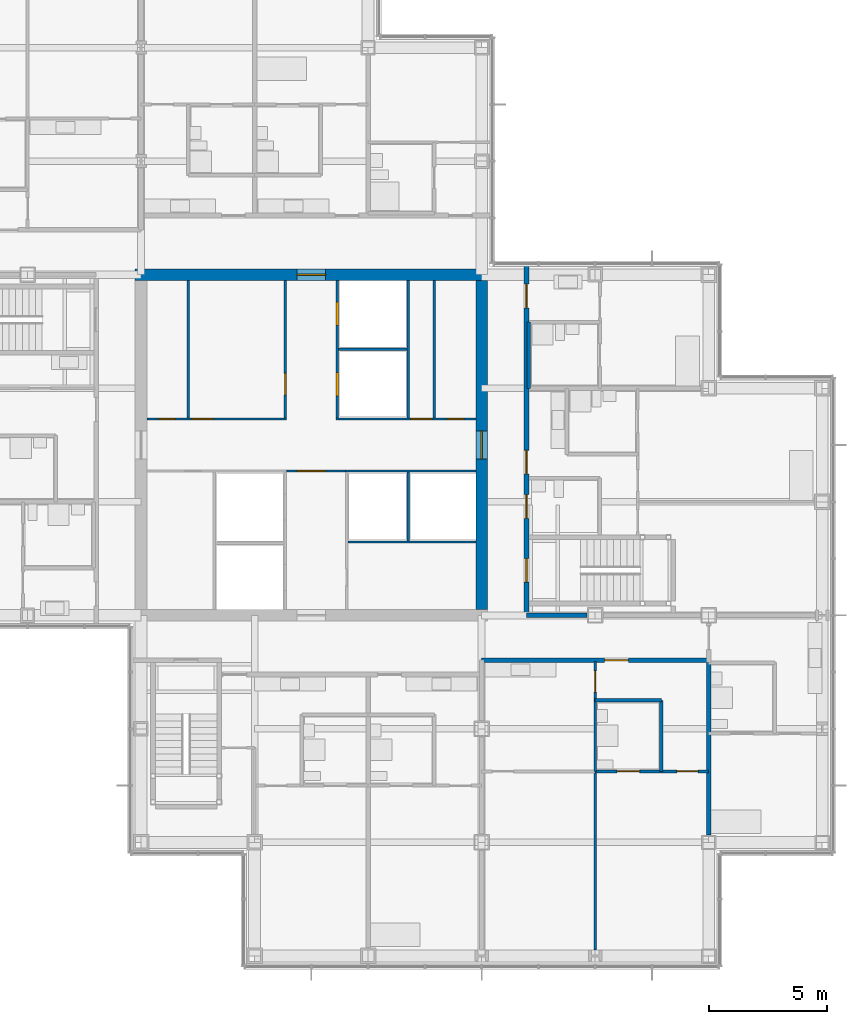
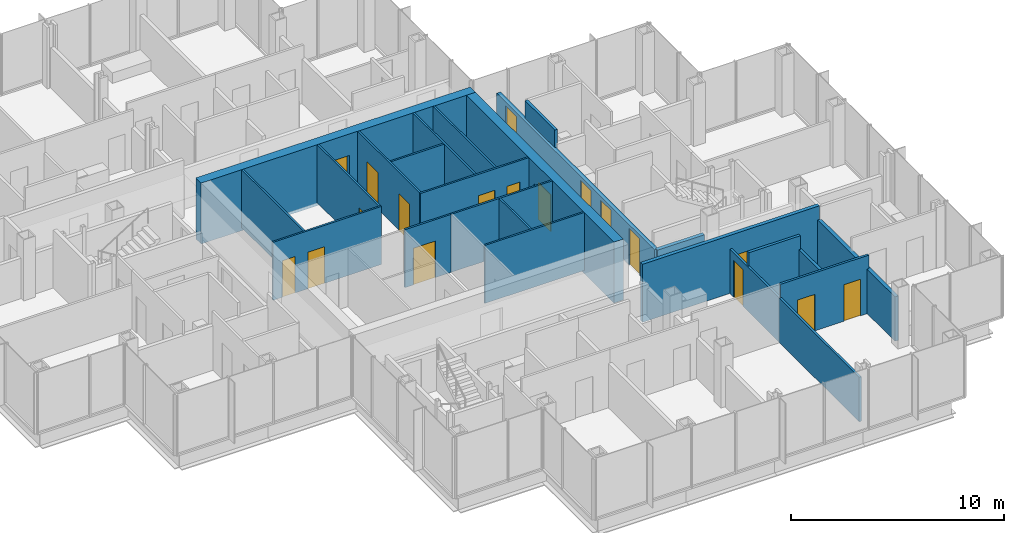
# One storey, part 15 of 20: 24 walls, 18 doors, 18 openings.
"""IFC4 building model written with IfcOpenShell, lengths in metres."""

from ifc_helpers import new_model, si_unit, direction, frame, frame_2d, origin, place, context, subcontext, project, spatial, rectangle, extrude, material, layer, layer_set, type_object, element, fill, save


model = new_model("IFC4")

# Units and contexts
model_context = context("Model", 3, precision=1e-05, world=origin(), true_north=direction((0.0, 1.0)))
body_context = subcontext(model_context, "Body", "Model", "MODEL_VIEW")
ifc_project = project(units=[si_unit("LENGTHUNIT", "METRE"), si_unit("AREAUNIT", "SQUARE_METRE"), si_unit("VOLUMEUNIT", "CUBIC_METRE"), si_unit("PLANEANGLEUNIT", "RADIAN"), si_unit("MASSUNIT", "GRAM", prefix="KILO")], contexts=[model_context])

# Site, building, storey
site_placement = place(None, origin())
site = spatial("IfcSite", under=ifc_project, at=site_placement, CompositionType="ELEMENT")
building_placement = place(site_placement, origin())
building = spatial("IfcBuilding", under=site, at=building_placement, Name="Kvirike Care Tower", CompositionType="ELEMENT")
storey_placement = place(building_placement, frame((0.0, 0.0, 101.5)))
storey = spatial("IfcBuildingStorey", under=building, at=storey_placement, Name="L27", CompositionType="ELEMENT", Elevation=101.5)

# Walls
ifc_material_1 = material(Name="Moisture-resistant board partition", Category="gypsum")
ifc_layer_1 = layer(ifc_material_1, 0.14990234375)
ifc_layer_set_1 = layer_set([ifc_layer_1], Name="BATHROOM WALL 150")
wall_type_1 = type_object("IfcWallType", Name="BATHROOM WALL 150", PredefinedType="PARTITIONING", material=ifc_layer_set_1)
wall_1_placement = place(storey_placement, frame((36.39990234375, 22.199951171875, 0.0), z_axis=(0.0, 0.0, 1.0), x_axis=(0.0, 1.0, 0.0)))
element("IfcWall", 1, at=wall_1_placement, inside=storey, type_object=wall_type_1, Name="Bathroom Wall 150 L27", PredefinedType="PARTITIONING", context=body_context, shape_type="SweptSolid", body=[
    extrude(rectangle(XDim=3.0, YDim=0.14990234375, at=frame_2d((1.5, 0.0))), origin(), (0.0, 0.0, 1.0), 2.550048828125),
])
wall_2_placement = place(storey_placement, frame((33.60009765625, 25.199951171875, 0.0), z_axis=(0.0, 0.0, 1.0), x_axis=(1.0, 0.0, 0.0)))
element("IfcWall", 2, at=wall_2_placement, inside=storey, type_object=wall_type_1, Name="Bathroom Wall 150 L27", PredefinedType="PARTITIONING", context=body_context, shape_type="SweptSolid", body=[
    extrude(rectangle(XDim=2.7998046875, YDim=0.14990234375, at=frame_2d((1.39990234375, 0.0))), origin(), (0.0, 0.0, 1.0), 3.330078125),
])
wall_3_placement = place(storey_placement, frame((30.800048828125, 38.39990234375, 0.0), z_axis=(0.0, 0.0, 1.0), x_axis=(0.0, 1.0, 0.0)))
element("IfcWall", 3, at=wall_3_placement, inside=storey, type_object=wall_type_1, Name="Bathroom Wall 150 L27", PredefinedType="PARTITIONING", context=body_context, shape_type="SweptSolid", body=[
    extrude(rectangle(XDim=2.800048828125, YDim=0.14990234375, at=frame_2d((1.39990234375, 0.0))), origin(), (0.0, 0.0, 1.0), 3.330078125),
])

# Wall, opening, door
ifc_material_2 = material(Name="Concrete C50/60", Category="concrete")
ifc_layer_2 = layer(ifc_material_2, 0.5)
ifc_layer_set_2 = layer_set([ifc_layer_2], Name="CORE WALL 500 C50-60")
wall_type_2 = type_object("IfcWallType", Name="CORE WALL 500 C50-60", PredefinedType="SHEAR", material=ifc_layer_set_2)
wall_4_placement = place(storey_placement, frame((29.050048828125, 43.199951171875, -0.169921875), z_axis=(0.0, 0.0, 1.0), x_axis=(-1.0, 0.0, 0.0)))
wall_4 = element("IfcWall", 4, at=wall_4_placement, inside=storey, type_object=wall_type_2, Name="Core wall N L27", PredefinedType="SHEAR", context=body_context, shape_type="SweptSolid", body=[
    extrude(rectangle(XDim=14.900146484375, YDim=0.5, at=frame_2d((7.4501953125, 0.0))), origin(), (0.0, 0.0, 1.0), 3.5),
])
opening_1_placement = place(wall_4_placement, frame((6.85009765625, 0.0, 0.169921875)))
opening_1 = element("IfcOpeningElement", 5, at=opening_1_placement, cuts=wall_4, Name="Opening 27-067", PredefinedType="OPENING", context=body_context, shape_type="SweptSolid", body=[
    extrude(rectangle(XDim=1.199951171875, YDim=2.10009765625, at=frame_2d((0.60009765625, 1.050048828125))), frame((0.0, 0.260498046875, 0.0), z_axis=(0.0, -1.0, 0.0), x_axis=(1.0, 0.0, 0.0)), (0.0, 0.0, 1.0), 0.52099609375),
])
ifc_material_3 = material(Name="Timber door set", Category="wood")
door_type_1 = type_object("IfcDoorType", Name="CORE DOOR 1200", OperationType="SINGLE_SWING_LEFT", PredefinedType="DOOR", material=ifc_material_3)
door_1_placement = place(opening_1_placement, origin())
door_1 = element("IfcDoor", 6, at=door_1_placement, inside=storey, type_object=door_type_1, Name="Core door N L27", OperationType="SINGLE_SWING_LEFT", OverallHeight=2.10009765625, OverallWidth=1.199951171875, PredefinedType="DOOR", context=body_context, shape_type="SweptSolid", body=[
    extrude(rectangle(XDim=1.199951171875, YDim=2.10009765625, at=frame_2d((0.60009765625, 1.050048828125))), frame((0.0, 0.02685546875, 0.0), z_axis=(0.0, -1.0, 0.0), x_axis=(1.0, 0.0, 0.0)), (0.0, 0.0, 1.0), 0.053955078125),
])
fill(opening_1, door_1)

wall_5_placement = place(storey_placement, frame((28.800048828125, 29.050048828125, -0.169921875), z_axis=(0.0, 0.0, 1.0), x_axis=(0.0, 1.0, 0.0)))
wall_5 = element("IfcWall", 7, at=wall_5_placement, inside=storey, type_object=wall_type_2, Name="Core wall E L27", PredefinedType="SHEAR", context=body_context, shape_type="SweptSolid", body=[
    extrude(rectangle(XDim=13.89990234375, YDim=0.5, at=frame_2d((6.949951171875, 0.0))), origin(), (0.0, 0.0, 1.0), 3.5),
])
opening_2_placement = place(wall_5_placement, frame((6.35009765625, 0.0, 0.169921875)))
opening_2 = element("IfcOpeningElement", 8, at=opening_2_placement, cuts=wall_5, Name="Opening 27-066", PredefinedType="OPENING", context=body_context, shape_type="SweptSolid", body=[
    extrude(rectangle(XDim=1.199951171875, YDim=2.10009765625, at=frame_2d((0.60009765625, 1.050048828125))), frame((0.0, 0.260498046875, 0.0), z_axis=(0.0, -1.0, 0.0), x_axis=(1.0, 0.0, 0.0)), (0.0, 0.0, 1.0), 0.52099609375),
])
door_2_placement = place(opening_2_placement, origin())
door_2 = element("IfcDoor", 9, at=door_2_placement, inside=storey, type_object=door_type_1, Name="Core door E L27", OperationType="SINGLE_SWING_LEFT", OverallHeight=2.10009765625, OverallWidth=1.199951171875, PredefinedType="DOOR", context=body_context, shape_type="SweptSolid", body=[
    extrude(rectangle(XDim=1.199951171875, YDim=2.10009765625, at=frame_2d((0.60009765625, 1.050048828125))), frame((0.0, 0.02685546875, 0.0), z_axis=(0.0, -1.0, 0.0), x_axis=(1.0, 0.0, 0.0)), (0.0, 0.0, 1.0), 0.053955078125),
])
fill(opening_2, door_2)

ifc_material_4 = material(Name="Plasterboard corridor wall", Category="gypsum")
ifc_layer_3 = layer(ifc_material_4, 0.199951171875)
ifc_layer_set_3 = layer_set([ifc_layer_3], Name="CORRIDOR WALL 200")
wall_type_3 = type_object("IfcWallType", Name="CORRIDOR WALL 200", PredefinedType="PARTITIONING", material=ifc_layer_set_3)
wall_6_placement = place(storey_placement, frame((28.800048828125, 26.89990234375, 0.0), z_axis=(0.0, 0.0, 1.0), x_axis=(1.0, 0.0, 0.0)))
wall_6 = element("IfcWall", 10, at=wall_6_placement, inside=storey, type_object=wall_type_3, Name="Corridor Wall 200 L27", PredefinedType="PARTITIONING", context=body_context, shape_type="SweptSolid", body=[
    extrude(rectangle(XDim=9.599853515625, YDim=0.199951171875, at=frame_2d((4.7998046875, 0.0))), origin(), (0.0, 0.0, 1.0), 3.330078125),
])
opening_3_placement = place(wall_6_placement, frame((5.199951171875, 0.0, 0.0)))
opening_3 = element("IfcOpeningElement", 11, at=opening_3_placement, cuts=wall_6, Name="Opening 27-041", PredefinedType="OPENING", context=body_context, shape_type="SweptSolid", body=[
    extrude(rectangle(XDim=1.0, YDim=2.10009765625, at=frame_2d((0.5, 1.050048828125))), frame((0.0, 0.110595703125, 0.0), z_axis=(0.0, -1.0, 0.0), x_axis=(1.0, 0.0, 0.0)), (0.0, 0.0, 1.0), 0.220947265625),
])
ifc_material_5 = material(Name="Timber door set", Category="wood")
door_type_2 = type_object("IfcDoorType", Name="FLAT ENTRANCE DOOR 1000", OperationType="SINGLE_SWING_LEFT", PredefinedType="DOOR", material=ifc_material_5)
door_3_placement = place(opening_3_placement, frame((1.0, 0.0, 0.0), z_axis=(0.0, 0.0, 1.0), x_axis=(-1.0, 0.0, 0.0)))
door_3 = element("IfcDoor", 12, at=door_3_placement, inside=storey, type_object=door_type_2, Name="Accessible assisted living suite entrance", OperationType="SINGLE_SWING_LEFT", OverallHeight=2.10009765625, OverallWidth=1.0, PredefinedType="DOOR", context=body_context, shape_type="SweptSolid", body=[
    extrude(rectangle(XDim=1.0, YDim=2.10009765625, at=frame_2d((0.5, 1.050048828125))), frame((0.0, 0.02685546875, 0.0), z_axis=(0.0, -1.0, 0.0), x_axis=(1.0, 0.0, 0.0)), (0.0, 0.0, 1.0), 0.053955078125),
])
fill(opening_3, door_3)

# Wall, openings, doors
wall_7_placement = place(storey_placement, frame((30.699951171875, 28.800048828125, 0.0), z_axis=(0.0, 0.0, 1.0), x_axis=(0.0, 1.0, 0.0)))
wall_7 = element("IfcWall", 13, at=wall_7_placement, inside=storey, type_object=wall_type_3, Name="Corridor Wall 200 L27", PredefinedType="PARTITIONING", context=body_context, shape_type="SweptSolid", body=[
    extrude(rectangle(XDim=14.83984375, YDim=0.199951171875, at=frame_2d((7.419921875, 0.0))), origin(), (0.0, 0.0, 1.0), 2.320068359375),
])
opening_4_placement = place(wall_7_placement, frame((1.39990234375, 0.0, 0.0)))
opening_4 = element("IfcOpeningElement", 14, at=opening_4_placement, cuts=wall_7, Name="Opening 27-048", PredefinedType="OPENING", context=body_context, shape_type="SweptSolid", body=[
    extrude(rectangle(XDim=1.0, YDim=2.10009765625, at=frame_2d((0.5, 1.050048828125))), frame((0.0, 0.110595703125, 0.0), z_axis=(0.0, -1.0, 0.0), x_axis=(1.0, 0.0, 0.0)), (0.0, 0.0, 1.0), 0.220947265625),
])
opening_5_placement = place(wall_7_placement, frame((4.10009765625, 0.0, 0.0)))
opening_5 = element("IfcOpeningElement", 15, at=opening_5_placement, cuts=wall_7, Name="Opening 27-049", PredefinedType="OPENING", context=body_context, shape_type="SweptSolid", body=[
    extrude(rectangle(XDim=1.0, YDim=2.10009765625, at=frame_2d((0.5, 1.050048828125))), frame((0.0, 0.110595703125, 0.0), z_axis=(0.0, -1.0, 0.0), x_axis=(1.0, 0.0, 0.0)), (0.0, 0.0, 1.0), 0.220947265625),
])
opening_6_placement = place(wall_7_placement, frame((5.97509765625, 0.0, 0.0)))
opening_6 = element("IfcOpeningElement", 16, at=opening_6_placement, cuts=wall_7, Name="Opening 27-050", PredefinedType="OPENING", context=body_context, shape_type="SweptSolid", body=[
    extrude(rectangle(XDim=1.0, YDim=2.10009765625, at=frame_2d((0.5, 1.050048828125))), frame((0.0, 0.110595703125, 0.0), z_axis=(0.0, -1.0, 0.0), x_axis=(1.0, 0.0, 0.0)), (0.0, 0.0, 1.0), 0.220947265625),
])
opening_7_placement = place(wall_7_placement, frame((13.0, 0.0, 0.0)))
opening_7 = element("IfcOpeningElement", 17, at=opening_7_placement, cuts=wall_7, Name="Opening 27-051", PredefinedType="OPENING", context=body_context, shape_type="SweptSolid", body=[
    extrude(rectangle(XDim=1.0, YDim=2.10009765625, at=frame_2d((0.5, 1.050048828125))), frame((0.0, 0.110595703125, 0.0), z_axis=(0.0, -1.0, 0.0), x_axis=(1.0, 0.0, 0.0)), (0.0, 0.0, 1.0), 0.220947265625),
])
door_4_placement = place(opening_6_placement, frame((1.0, 0.0, 0.0), z_axis=(0.0, 0.0, 1.0), x_axis=(-1.0, 0.0, 0.0)))
door_4 = element("IfcDoor", 18, at=door_4_placement, inside=storey, type_object=door_type_2, Name="Assisted living suite entrance", OperationType="SINGLE_SWING_LEFT", OverallHeight=2.10009765625, OverallWidth=1.0, PredefinedType="DOOR", context=body_context, shape_type="SweptSolid", body=[
    extrude(rectangle(XDim=1.0, YDim=2.10009765625, at=frame_2d((0.5, 1.050048828125))), frame((0.0, 0.02685546875, 0.0), z_axis=(0.0, -1.0, 0.0), x_axis=(1.0, 0.0, 0.0)), (0.0, 0.0, 1.0), 0.053955078125),
])
fill(opening_6, door_4)
door_5_placement = place(opening_7_placement, frame((1.0, 0.0, 0.0), z_axis=(0.0, 0.0, 1.0), x_axis=(-1.0, 0.0, 0.0)))
door_5 = element("IfcDoor", 19, at=door_5_placement, inside=storey, type_object=door_type_2, Name="Assisted living suite entrance", OperationType="SINGLE_SWING_RIGHT", OverallHeight=2.10009765625, OverallWidth=1.0, PredefinedType="DOOR", context=body_context, shape_type="SweptSolid", body=[
    extrude(rectangle(XDim=1.0, YDim=2.10009765625, at=frame_2d((0.5, 1.050048828125))), frame((0.0, 0.02685546875, 0.0), z_axis=(0.0, -1.0, 0.0), x_axis=(1.0, 0.0, 0.0)), (0.0, 0.0, 1.0), 0.053955078125),
])
fill(opening_7, door_5)
ifc_material_6 = material(Name="Timber door set", Category="wood")
door_type_3 = type_object("IfcDoorType", Name="STAIR DOOR 1000", OperationType="SINGLE_SWING_LEFT", PredefinedType="DOOR", material=ifc_material_6)
door_6_placement = place(opening_4_placement, frame((1.0, 0.0, 0.0), z_axis=(0.0, 0.0, 1.0), x_axis=(-1.0, 0.0, 0.0)))
door_6 = element("IfcDoor", 20, at=door_6_placement, inside=storey, type_object=door_type_3, Name="Stair 2 door", OperationType="SINGLE_SWING_LEFT", OverallHeight=2.10009765625, OverallWidth=1.0, PredefinedType="DOOR", context=body_context, shape_type="SweptSolid", body=[
    extrude(rectangle(XDim=1.0, YDim=2.10009765625, at=frame_2d((0.5, 1.050048828125))), frame((0.0, 0.031982421875, 0.0), z_axis=(0.0, -1.0, 0.0), x_axis=(1.0, 0.0, 0.0)), (0.0, 0.0, 1.0), 0.06396484375),
])
fill(opening_4, door_6)
ifc_material_7 = material(Name="Timber door set", Category="wood")
door_type_4 = type_object("IfcDoorType", Name="WC DOOR 1000", OperationType="SINGLE_SWING_LEFT", PredefinedType="DOOR", material=ifc_material_7)
door_7_placement = place(opening_5_placement, frame((1.0, 0.0, 0.0), z_axis=(0.0, 0.0, 1.0), x_axis=(-1.0, 0.0, 0.0)))
door_7 = element("IfcDoor", 21, at=door_7_placement, inside=storey, type_object=door_type_4, Name="Accessible WC door", OperationType="SINGLE_SWING_LEFT", OverallHeight=2.10009765625, OverallWidth=1.0, PredefinedType="DOOR", context=body_context, shape_type="SweptSolid", body=[
    extrude(rectangle(XDim=1.0, YDim=2.10009765625, at=frame_2d((0.5, 1.050048828125))), frame((0.0, 0.02685546875, 0.0), z_axis=(0.0, -1.0, 0.0), x_axis=(1.0, 0.0, 0.0)), (0.0, 0.0, 1.0), 0.053955078125),
])
fill(opening_5, door_7)

# Wall, opening, door
ifc_material_8 = material(Name="Plasterboard partition", Category="gypsum")
ifc_layer_4 = layer(ifc_material_8, 0.1201171875)
ifc_layer_set_4 = layer_set([ifc_layer_4], Name="PARTITION 120")
wall_type_4 = type_object("IfcWallType", Name="PARTITION 120", PredefinedType="PARTITIONING", material=ifc_layer_set_4)
wall_8_placement = place(storey_placement, frame((33.60009765625, 22.199951171875, 0.0), z_axis=(0.0, 0.0, 1.0), x_axis=(0.0, 1.0, 0.0)))
wall_8 = element("IfcWall", 22, at=wall_8_placement, inside=storey, type_object=wall_type_4, Name="Partition 120 L27", PredefinedType="PARTITIONING", context=body_context, shape_type="SweptSolid", body=[
    extrude(rectangle(XDim=4.650146484375, YDim=0.1201171875, at=frame_2d((2.3251953125, 0.0))), origin(), (0.0, 0.0, 1.0), 2.550048828125),
])
opening_8_placement = place(wall_8_placement, frame((3.35009765625, 0.0, 0.0)))
opening_8 = element("IfcOpeningElement", 23, at=opening_8_placement, cuts=wall_8, Name="Opening 27-035", PredefinedType="OPENING", context=body_context, shape_type="SweptSolid", body=[
    extrude(rectangle(XDim=0.89990234375, YDim=2.10009765625, at=frame_2d((0.449951171875, 1.050048828125))), frame((0.0, 0.070556640625, 0.0), z_axis=(0.0, -1.0, 0.0), x_axis=(1.0, 0.0, 0.0)), (0.0, 0.0, 1.0), 0.14111328125),
])
ifc_material_9 = material(Name="Timber door set", Category="wood")
door_type_5 = type_object("IfcDoorType", Name="INTERNAL DOOR 900", OperationType="SINGLE_SWING_LEFT", PredefinedType="DOOR", material=ifc_material_9)
door_8_placement = place(opening_8_placement, origin())
door_8 = element("IfcDoor", 24, at=door_8_placement, inside=storey, type_object=door_type_5, Name="Hall door", OperationType="SINGLE_SWING_LEFT", OverallHeight=2.10009765625, OverallWidth=0.89990234375, PredefinedType="DOOR", context=body_context, shape_type="SweptSolid", body=[
    extrude(rectangle(XDim=0.89990234375, YDim=2.10009765625, at=frame_2d((0.449951171875, 1.050048828125))), frame((0.0, 0.02197265625, 0.0), z_axis=(0.0, -1.0, 0.0), x_axis=(1.0, 0.0, 0.0)), (0.0, 0.0, 1.0), 0.0439453125),
])
fill(opening_8, door_8)

# Wall, openings, doors
wall_9_placement = place(storey_placement, frame((33.60009765625, 22.199951171875, 0.0), z_axis=(0.0, 0.0, 1.0), x_axis=(1.0, 0.0, 0.0)))
wall_9 = element("IfcWall", 25, at=wall_9_placement, inside=storey, type_object=wall_type_4, Name="Partition 120 L27", PredefinedType="PARTITIONING", context=body_context, shape_type="SweptSolid", body=[
    extrude(rectangle(XDim=4.7998046875, YDim=0.1201171875, at=frame_2d((2.39990234375, 0.0))), origin(), (0.0, 0.0, 1.0), 3.330078125),
])
opening_9_placement = place(wall_9_placement, frame((3.449951171875, 0.0, 0.0)))
opening_9 = element("IfcOpeningElement", 26, at=opening_9_placement, cuts=wall_9, Name="Opening 27-037", PredefinedType="OPENING", context=body_context, shape_type="SweptSolid", body=[
    extrude(rectangle(XDim=0.89990234375, YDim=2.10009765625, at=frame_2d((0.449951171875, 1.050048828125))), frame((0.0, 0.070556640625, 0.0), z_axis=(0.0, -1.0, 0.0), x_axis=(1.0, 0.0, 0.0)), (0.0, 0.0, 1.0), 0.14111328125),
])
opening_10_placement = place(wall_9_placement, frame((0.925048828125, 0.0, 0.0)))
opening_10 = element("IfcOpeningElement", 27, at=opening_10_placement, cuts=wall_9, Name="Opening 27-038", PredefinedType="OPENING", context=body_context, shape_type="SweptSolid", body=[
    extrude(rectangle(XDim=0.949951171875, YDim=2.10009765625, at=frame_2d((0.47509765625, 1.050048828125))), frame((0.0, 0.070556640625, 0.0), z_axis=(0.0, -1.0, 0.0), x_axis=(1.0, 0.0, 0.0)), (0.0, 0.0, 1.0), 0.14111328125),
])
ifc_material_10 = material(Name="Timber door set", Category="wood")
door_type_6 = type_object("IfcDoorType", Name="EN-SUITE SLIDING DOOR 950", OperationType="SLIDING_TO_LEFT", PredefinedType="DOOR", material=ifc_material_10)
door_9_placement = place(opening_10_placement, origin())
door_9 = element("IfcDoor", 28, at=door_9_placement, inside=storey, type_object=door_type_6, Name="En-suite door", OperationType="SLIDING_TO_LEFT", OverallHeight=2.10009765625, OverallWidth=0.949951171875, PredefinedType="DOOR", context=body_context, shape_type="SweptSolid", body=[
    extrude(rectangle(XDim=0.949951171875, YDim=2.10009765625, at=frame_2d((0.47509765625, 1.050048828125))), frame((0.0, 0.02197265625, 0.0), z_axis=(0.0, -1.0, 0.0), x_axis=(1.0, 0.0, 0.0)), (0.0, 0.0, 1.0), 0.0439453125),
])
fill(opening_10, door_9)
door_10_placement = place(opening_9_placement, origin())
door_10 = element("IfcDoor", 29, at=door_10_placement, inside=storey, type_object=door_type_5, Name="Accessible assisted living suite door", OperationType="SINGLE_SWING_LEFT", OverallHeight=2.10009765625, OverallWidth=0.89990234375, PredefinedType="DOOR", context=body_context, shape_type="SweptSolid", body=[
    extrude(rectangle(XDim=0.89990234375, YDim=2.10009765625, at=frame_2d((0.449951171875, 1.050048828125))), frame((0.0, 0.02197265625, 0.0), z_axis=(0.0, -1.0, 0.0), x_axis=(1.0, 0.0, 0.0)), (0.0, 0.0, 1.0), 0.0439453125),
])
fill(opening_9, door_10)

# Walls
wall_10_placement = place(storey_placement, frame((33.60009765625, 14.64697265625, 0.0), z_axis=(0.0, 0.0, 1.0), x_axis=(0.0, 1.0, 0.0)))
element("IfcWall", 30, at=wall_10_placement, inside=storey, type_object=wall_type_4, Name="Partition 120 L27", PredefinedType="PARTITIONING", context=body_context, shape_type="SweptSolid", body=[
    extrude(rectangle(XDim=7.552978515625, YDim=0.1201171875, at=frame_2d((3.7763671875, 0.0))), origin(), (0.0, 0.0, 1.0), 2.550048828125),
])
ifc_material_11 = material(Name="Plasterboard party wall", Category="gypsum")
ifc_layer_5 = layer(ifc_material_11, 0.199951171875)
ifc_layer_set_5 = layer_set([ifc_layer_5], Name="PARTY WALL 200")
wall_type_5 = type_object("IfcWallType", Name="PARTY WALL 200", PredefinedType="PARTITIONING", material=ifc_layer_set_5)
wall_11_placement = place(storey_placement, frame((38.39990234375, 19.52001953125, 0.0), z_axis=(0.0, 0.0, 1.0), x_axis=(0.0, 1.0, 0.0)))
element("IfcWall", 31, at=wall_11_placement, inside=storey, type_object=wall_type_5, Name="Party Wall 200 L27", PredefinedType="PARTITIONING", context=body_context, shape_type="SweptSolid", body=[
    extrude(rectangle(XDim=7.280029296875, YDim=0.199951171875, at=frame_2d((3.64013671875, 0.0))), origin(), (0.0, 0.0, 1.0), 2.550048828125),
])
wall_12_placement = place(storey_placement, frame((33.2548828125, 28.800048828125, 0.0), z_axis=(0.0, 0.0, 1.0), x_axis=(-1.0, 0.0, 0.0)))
element("IfcWall", 32, at=wall_12_placement, inside=storey, type_object=wall_type_5, Name="Party Wall 200 L27", PredefinedType="PARTITIONING", context=body_context, shape_type="SweptSolid", body=[
    extrude(rectangle(XDim=2.554931640625, YDim=0.199951171875, at=frame_2d((1.27734375, 0.0))), origin(), (0.0, 0.0, 1.0), 2.320068359375),
])
ifc_material_12 = material(Name="Gypsum shaft wall system", Category="gypsum")
ifc_layer_6 = layer(ifc_material_12, 0.10009765625)
ifc_layer_set_6 = layer_set([ifc_layer_6], Name="SHAFT WALL 100")
wall_type_6 = type_object("IfcWallType", Name="SHAFT WALL 100", PredefinedType="SOLIDWALL", material=ifc_layer_set_6)
for number, where, z_axis, x_axis, name in (
    (33, (16.39990234375, 37.14990234375, 0.0), (0.0, 0.0, 1.0), (0.0, 1.0, 0.0), "Shaft Wall 100 L27"),
    (34, (26.800048828125, 37.14990234375, 0.0), (0.0, 0.0, 1.0), (0.0, 1.0, 0.0), "Shaft Wall 100 L27"),
):
    element("IfcWall", number, at=place(storey_placement, frame(where, z_axis=z_axis, x_axis=x_axis)), inside=storey, type_object=wall_type_6, Name=name, PredefinedType="SOLIDWALL", context=body_context, shape_type="SweptSolid", body=[
        extrude(rectangle(XDim=5.800048828125, YDim=0.10009765625, at=frame_2d((2.89990234375, 0.0))), origin(), (0.0, 0.0, 1.0), 3.330078125),
    ])

# Wall, opening, door
wall_13_placement = place(storey_placement, frame((20.5, 37.14990234375, 0.0), z_axis=(0.0, 0.0, 1.0), x_axis=(0.0, 1.0, 0.0)))
wall_13 = element("IfcWall", 35, at=wall_13_placement, inside=storey, type_object=wall_type_6, Name="Shaft Wall 100 L27", PredefinedType="SOLIDWALL", context=body_context, shape_type="SweptSolid", body=[
    extrude(rectangle(XDim=5.800048828125, YDim=0.10009765625, at=frame_2d((2.89990234375, 0.0))), origin(), (0.0, 0.0, 1.0), 3.330078125),
])
opening_11_placement = place(wall_13_placement, frame((0.97509765625, 0.0, 0.0)))
opening_11 = element("IfcOpeningElement", 36, at=opening_11_placement, cuts=wall_13, Name="Opening 27-054", PredefinedType="OPENING", context=body_context, shape_type="SweptSolid", body=[
    extrude(rectangle(XDim=0.89990234375, YDim=2.10009765625, at=frame_2d((0.449951171875, 1.050048828125))), frame((0.0, 0.060546875, 0.0), z_axis=(0.0, -1.0, 0.0), x_axis=(1.0, 0.0, 0.0)), (0.0, 0.0, 1.0), 0.12109375),
])
ifc_material_13 = material(Name="Timber door set", Category="wood")
door_type_7 = type_object("IfcDoorType", Name="STORE DOOR 900", OperationType="SINGLE_SWING_LEFT", PredefinedType="DOOR", material=ifc_material_13)
door_11_placement = place(opening_11_placement, origin())
door_11 = element("IfcDoor", 37, at=door_11_placement, inside=storey, type_object=door_type_7, Name="Housekeeping office door", OperationType="SINGLE_SWING_RIGHT", OverallHeight=2.10009765625, OverallWidth=0.89990234375, PredefinedType="DOOR", context=body_context, shape_type="SweptSolid", body=[
    extrude(rectangle(XDim=0.89990234375, YDim=2.10009765625, at=frame_2d((0.449951171875, 1.050048828125))), frame((0.0, 0.02685546875, 0.0), z_axis=(0.0, -1.0, 0.0), x_axis=(1.0, 0.0, 0.0)), (0.0, 0.0, 1.0), 0.053955078125),
])
fill(opening_11, door_11)

# Wall, openings, doors
wall_14_placement = place(storey_placement, frame((22.699951171875, 37.14990234375, 0.0), z_axis=(0.0, 0.0, 1.0), x_axis=(0.0, 1.0, 0.0)))
wall_14 = element("IfcWall", 38, at=wall_14_placement, inside=storey, type_object=wall_type_6, Name="Shaft Wall 100 L27", PredefinedType="SOLIDWALL", context=body_context, shape_type="SweptSolid", body=[
    extrude(rectangle(XDim=5.800048828125, YDim=0.10009765625, at=frame_2d((2.89990234375, 0.0))), origin(), (0.0, 0.0, 1.0), 3.330078125),
])
opening_12_placement = place(wall_14_placement, frame((0.925048828125, 0.0, 0.0)))
opening_12 = element("IfcOpeningElement", 39, at=opening_12_placement, cuts=wall_14, Name="Opening 27-055", PredefinedType="OPENING", context=body_context, shape_type="SweptSolid", body=[
    extrude(rectangle(XDim=1.0, YDim=2.10009765625, at=frame_2d((0.5, 1.050048828125))), frame((0.0, 0.060546875, 0.0), z_axis=(0.0, -1.0, 0.0), x_axis=(1.0, 0.0, 0.0)), (0.0, 0.0, 1.0), 0.12109375),
])
opening_13_placement = place(wall_14_placement, frame((3.89990234375, 0.0, 0.0)))
opening_13 = element("IfcOpeningElement", 40, at=opening_13_placement, cuts=wall_14, Name="Opening 27-056", PredefinedType="OPENING", context=body_context, shape_type="SweptSolid", body=[
    extrude(rectangle(XDim=1.0, YDim=2.10009765625, at=frame_2d((0.5, 1.050048828125))), frame((0.0, 0.060546875, 0.0), z_axis=(0.0, -1.0, 0.0), x_axis=(1.0, 0.0, 0.0)), (0.0, 0.0, 1.0), 0.12109375),
])
ifc_material_14 = material(Name="Aluminium door frame", Category="aluminium")
door_type_8 = type_object("IfcDoorType", Name="LIFT LANDING DOOR 1000", OperationType="SLIDING_TO_LEFT", PredefinedType="DOOR", material=ifc_material_14)
door_12_placement = place(opening_12_placement, origin())
door_12 = element("IfcDoor", 41, at=door_12_placement, inside=storey, type_object=door_type_8, Name="Lift P3 landing door", OperationType="SLIDING_TO_LEFT", OverallHeight=2.10009765625, OverallWidth=1.0, PredefinedType="DOOR", context=body_context, shape_type="SweptSolid", body=[
    extrude(rectangle(XDim=1.0, YDim=2.10009765625, at=frame_2d((0.5, 1.050048828125))), frame((0.0, 0.0498046875, 0.0), z_axis=(0.0, -1.0, 0.0), x_axis=(1.0, 0.0, 0.0)), (0.0, 0.0, 1.0), 0.099609375),
])
fill(opening_12, door_12)
door_13_placement = place(opening_13_placement, origin())
door_13 = element("IfcDoor", 42, at=door_13_placement, inside=storey, type_object=door_type_8, Name="Lift P4 landing door", OperationType="SLIDING_TO_LEFT", OverallHeight=2.10009765625, OverallWidth=1.0, PredefinedType="DOOR", context=body_context, shape_type="SweptSolid", body=[
    extrude(rectangle(XDim=1.0, YDim=2.10009765625, at=frame_2d((0.5, 1.050048828125))), frame((0.0, 0.0498046875, 0.0), z_axis=(0.0, -1.0, 0.0), x_axis=(1.0, 0.0, 0.0)), (0.0, 0.0, 1.0), 0.099609375),
])
fill(opening_13, door_13)

# Wall
wall_15_placement = place(storey_placement, frame((23.050048828125, 34.89990234375, 0.0), z_axis=(0.0, 0.0, 1.0), x_axis=(1.0, 0.0, 0.0)))
element("IfcWall", 43, at=wall_15_placement, inside=storey, type_object=wall_type_6, Name="Shaft Wall 100 L27", PredefinedType="SOLIDWALL", context=body_context, shape_type="SweptSolid", body=[
    extrude(rectangle(XDim=5.5, YDim=0.10009765625, at=frame_2d((2.75, 0.0))), origin(), (0.0, 0.0, 1.0), 3.330078125),
])

# Wall, openings, doors
wall_16_placement = place(storey_placement, frame((14.64990234375, 37.10009765625, 0.0), z_axis=(0.0, 0.0, 1.0), x_axis=(1.0, 0.0, 0.0)))
wall_16 = element("IfcWall", 44, at=wall_16_placement, inside=storey, type_object=wall_type_6, Name="Shaft Wall 100 L27", PredefinedType="SOLIDWALL", context=body_context, shape_type="SweptSolid", body=[
    extrude(rectangle(XDim=5.900146484375, YDim=0.10009765625, at=frame_2d((2.9501953125, 0.0))), origin(), (0.0, 0.0, 1.0), 3.330078125),
])
opening_14_placement = place(wall_16_placement, frame((0.5, 0.0, 0.0)))
opening_14 = element("IfcOpeningElement", 45, at=opening_14_placement, cuts=wall_16, Name="Opening 27-059", PredefinedType="OPENING", context=body_context, shape_type="SweptSolid", body=[
    extrude(rectangle(XDim=0.699951171875, YDim=2.10009765625, at=frame_2d((0.35009765625, 1.050048828125))), frame((0.0, 0.060546875, 0.0), z_axis=(0.0, -1.0, 0.0), x_axis=(1.0, 0.0, 0.0)), (0.0, 0.0, 1.0), 0.12109375),
])
opening_15_placement = place(wall_16_placement, frame((1.89990234375, 0.0, 0.0)))
opening_15 = element("IfcOpeningElement", 46, at=opening_15_placement, cuts=wall_16, Name="Opening 27-060", PredefinedType="OPENING", context=body_context, shape_type="SweptSolid", body=[
    extrude(rectangle(XDim=0.89990234375, YDim=2.10009765625, at=frame_2d((0.449951171875, 1.050048828125))), frame((0.0, 0.060546875, 0.0), z_axis=(0.0, -1.0, 0.0), x_axis=(1.0, 0.0, 0.0)), (0.0, 0.0, 1.0), 0.12109375),
])
ifc_material_15 = material(Name="Timber door set", Category="wood")
door_type_9 = type_object("IfcDoorType", Name="RISER DOOR 700", OperationType="SINGLE_SWING_LEFT", PredefinedType="DOOR", material=ifc_material_15)
door_14_placement = place(opening_14_placement, origin())
door_14 = element("IfcDoor", 47, at=door_14_placement, inside=storey, type_object=door_type_9, Name="Riser door", OperationType="SINGLE_SWING_RIGHT", OverallHeight=2.10009765625, OverallWidth=0.699951171875, PredefinedType="DOOR", context=body_context, shape_type="SweptSolid", body=[
    extrude(rectangle(XDim=0.699951171875, YDim=2.10009765625, at=frame_2d((0.35009765625, 1.050048828125))), frame((0.0, 0.02685546875, 0.0), z_axis=(0.0, -1.0, 0.0), x_axis=(1.0, 0.0, 0.0)), (0.0, 0.0, 1.0), 0.053955078125),
])
fill(opening_14, door_14)
door_15_placement = place(opening_15_placement, origin())
door_15 = element("IfcDoor", 48, at=door_15_placement, inside=storey, type_object=door_type_7, Name="Housekeeping office door", OperationType="SINGLE_SWING_RIGHT", OverallHeight=2.10009765625, OverallWidth=0.89990234375, PredefinedType="DOOR", context=body_context, shape_type="SweptSolid", body=[
    extrude(rectangle(XDim=0.89990234375, YDim=2.10009765625, at=frame_2d((0.449951171875, 1.050048828125))), frame((0.0, 0.02685546875, 0.0), z_axis=(0.0, -1.0, 0.0), x_axis=(1.0, 0.0, 0.0)), (0.0, 0.0, 1.0), 0.053955078125),
])
fill(opening_15, door_15)

wall_17_placement = place(storey_placement, frame((22.64990234375, 37.10009765625, 0.0), z_axis=(0.0, 0.0, 1.0), x_axis=(1.0, 0.0, 0.0)))
wall_17 = element("IfcWall", 49, at=wall_17_placement, inside=storey, type_object=wall_type_6, Name="Shaft Wall 100 L27", PredefinedType="SOLIDWALL", context=body_context, shape_type="SweptSolid", body=[
    extrude(rectangle(XDim=5.900146484375, YDim=0.10009765625, at=frame_2d((2.9501953125, 0.0))), origin(), (0.0, 0.0, 1.0), 3.330078125),
])
opening_16_placement = place(wall_17_placement, frame((3.14990234375, 0.0, 0.0)))
opening_16 = element("IfcOpeningElement", 50, at=opening_16_placement, cuts=wall_17, Name="Opening 27-061", PredefinedType="OPENING", context=body_context, shape_type="SweptSolid", body=[
    extrude(rectangle(XDim=0.89990234375, YDim=2.10009765625, at=frame_2d((0.449951171875, 1.050048828125))), frame((0.0, 0.060546875, 0.0), z_axis=(0.0, -1.0, 0.0), x_axis=(1.0, 0.0, 0.0)), (0.0, 0.0, 1.0), 0.12109375),
])
opening_17_placement = place(wall_17_placement, frame((4.699951171875, 0.0, 0.0)))
opening_17 = element("IfcOpeningElement", 51, at=opening_17_placement, cuts=wall_17, Name="Opening 27-062", PredefinedType="OPENING", context=body_context, shape_type="SweptSolid", body=[
    extrude(rectangle(XDim=0.699951171875, YDim=2.10009765625, at=frame_2d((0.35009765625, 1.050048828125))), frame((0.0, 0.060546875, 0.0), z_axis=(0.0, -1.0, 0.0), x_axis=(1.0, 0.0, 0.0)), (0.0, 0.0, 1.0), 0.12109375),
])
door_16_placement = place(opening_17_placement, origin())
door_16 = element("IfcDoor", 52, at=door_16_placement, inside=storey, type_object=door_type_9, Name="Riser door", OperationType="SINGLE_SWING_LEFT", OverallHeight=2.10009765625, OverallWidth=0.699951171875, PredefinedType="DOOR", context=body_context, shape_type="SweptSolid", body=[
    extrude(rectangle(XDim=0.699951171875, YDim=2.10009765625, at=frame_2d((0.35009765625, 1.050048828125))), frame((0.0, 0.02685546875, 0.0), z_axis=(0.0, -1.0, 0.0), x_axis=(1.0, 0.0, 0.0)), (0.0, 0.0, 1.0), 0.053955078125),
])
fill(opening_17, door_16)
door_17_placement = place(opening_16_placement, origin())
door_17 = element("IfcDoor", 53, at=door_17_placement, inside=storey, type_object=door_type_7, Name="Records store door", OperationType="SINGLE_SWING_LEFT", OverallHeight=2.10009765625, OverallWidth=0.89990234375, PredefinedType="DOOR", context=body_context, shape_type="SweptSolid", body=[
    extrude(rectangle(XDim=0.89990234375, YDim=2.10009765625, at=frame_2d((0.449951171875, 1.050048828125))), frame((0.0, 0.02685546875, 0.0), z_axis=(0.0, -1.0, 0.0), x_axis=(1.0, 0.0, 0.0)), (0.0, 0.0, 1.0), 0.053955078125),
])
fill(opening_16, door_17)

# Wall, opening, door
wall_18_placement = place(storey_placement, frame((20.550048828125, 34.89990234375, 0.0), z_axis=(0.0, 0.0, 1.0), x_axis=(1.0, 0.0, 0.0)))
wall_18 = element("IfcWall", 54, at=wall_18_placement, inside=storey, type_object=wall_type_6, Name="Shaft Wall 100 L27", PredefinedType="SOLIDWALL", context=body_context, shape_type="SweptSolid", body=[
    extrude(rectangle(XDim=2.5, YDim=0.10009765625, at=frame_2d((1.25, 0.0))), origin(), (0.0, 0.0, 1.0), 3.330078125),
])
opening_18_placement = place(wall_18_placement, frame((0.449951171875, 0.0, 0.0)))
opening_18 = element("IfcOpeningElement", 55, at=opening_18_placement, cuts=wall_18, Name="Opening 27-063", PredefinedType="OPENING", context=body_context, shape_type="SweptSolid", body=[
    extrude(rectangle(XDim=1.199951171875, YDim=2.10009765625, at=frame_2d((0.60009765625, 1.050048828125))), frame((0.0, 0.060546875, 0.0), z_axis=(0.0, -1.0, 0.0), x_axis=(1.0, 0.0, 0.0)), (0.0, 0.0, 1.0), 0.12109375),
])
door_18_placement = place(opening_18_placement, frame((1.199951171875, 0.0, 0.0), z_axis=(0.0, 0.0, 1.0), x_axis=(-1.0, 0.0, 0.0)))
door_18 = element("IfcDoor", 56, at=door_18_placement, inside=storey, type_object=door_type_1, Name="Fire-fighting lobby door", OperationType="SINGLE_SWING_LEFT", OverallHeight=2.10009765625, OverallWidth=1.199951171875, PredefinedType="DOOR", context=body_context, shape_type="SweptSolid", body=[
    extrude(rectangle(XDim=1.199951171875, YDim=2.10009765625, at=frame_2d((0.60009765625, 1.050048828125))), frame((0.0, 0.02685546875, 0.0), z_axis=(0.0, -1.0, 0.0), x_axis=(1.0, 0.0, 0.0)), (0.0, 0.0, 1.0), 0.053955078125),
])
fill(opening_18, door_18)

# Walls
wall_19_placement = place(storey_placement, frame((22.75, 40.050048828125, 0.0), z_axis=(0.0, 0.0, 1.0), x_axis=(1.0, 0.0, 0.0)))
element("IfcWall", 57, at=wall_19_placement, inside=storey, type_object=wall_type_6, Name="Shaft Wall 100 L27", PredefinedType="SOLIDWALL", context=body_context, shape_type="SweptSolid", body=[
    extrude(rectangle(XDim=2.89990234375, YDim=0.10009765625, at=frame_2d((1.449951171875, 0.0))), origin(), (0.0, 0.0, 1.0), 3.330078125),
])
wall_20_placement = place(storey_placement, frame((25.699951171875, 37.14990234375, 0.0), z_axis=(0.0, 0.0, 1.0), x_axis=(0.0, 1.0, 0.0)))
element("IfcWall", 58, at=wall_20_placement, inside=storey, type_object=wall_type_6, Name="Shaft Wall 100 L27", PredefinedType="SOLIDWALL", context=body_context, shape_type="SweptSolid", body=[
    extrude(rectangle(XDim=5.800048828125, YDim=0.10009765625, at=frame_2d((2.89990234375, 0.0))), origin(), (0.0, 0.0, 1.0), 3.330078125),
])
wall_21_placement = place(storey_placement, frame((25.699951171875, 31.949951171875, 0.0), z_axis=(0.0, 0.0, 1.0), x_axis=(0.0, 1.0, 0.0)))
element("IfcWall", 59, at=wall_21_placement, inside=storey, type_object=wall_type_6, Name="Shaft Wall 100 L27", PredefinedType="SOLIDWALL", context=body_context, shape_type="SweptSolid", body=[
    extrude(rectangle(XDim=2.900146484375, YDim=0.10009765625, at=frame_2d((1.4501953125, 0.0))), origin(), (0.0, 0.0, 1.0), 3.330078125),
])
wall_22_placement = place(storey_placement, frame((23.14990234375, 31.89990234375, 0.0), z_axis=(0.0, 0.0, 1.0), x_axis=(1.0, 0.0, 0.0)))
element("IfcWall", 60, at=wall_22_placement, inside=storey, type_object=wall_type_6, Name="Shaft Wall 100 L27", PredefinedType="SOLIDWALL", context=body_context, shape_type="SweptSolid", body=[
    extrude(rectangle(XDim=5.400146484375, YDim=0.10009765625, at=frame_2d((2.7001953125, 0.0))), origin(), (0.0, 0.0, 1.0), 3.330078125),
])

save(model, "model.ifc")
